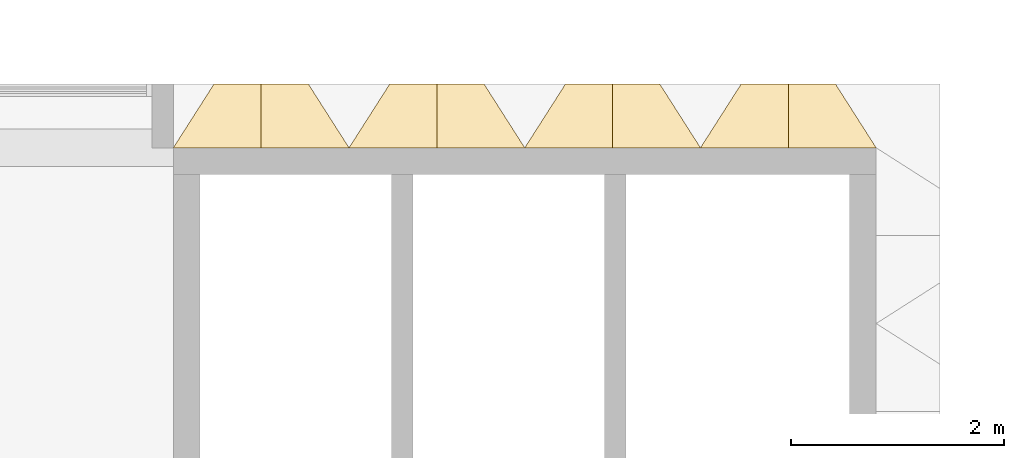
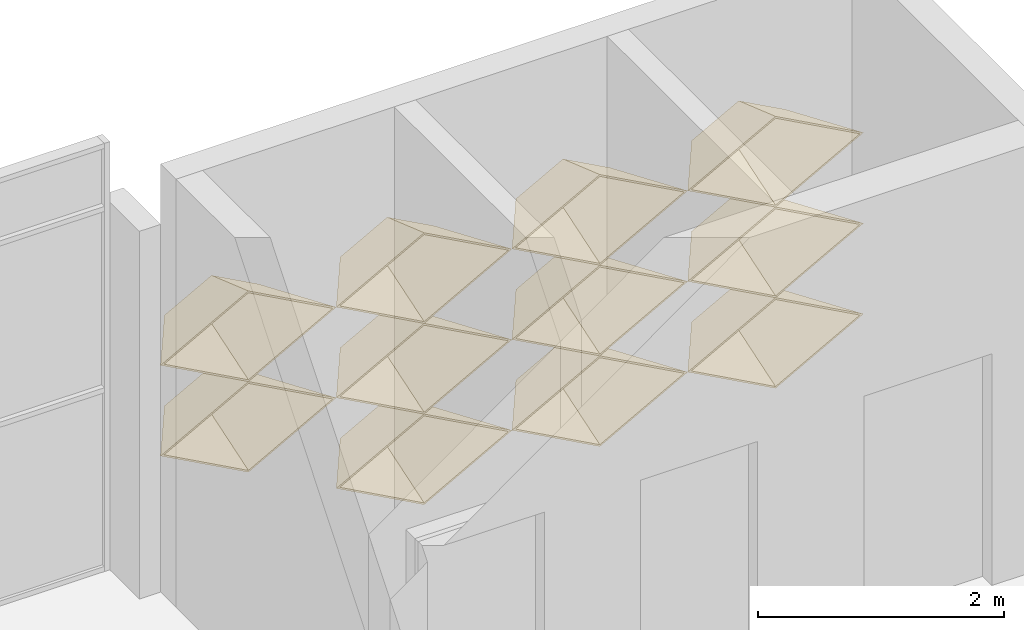
# One storey, part 20 of 21: 11 coverings.
"""IFC4 building model written with IfcOpenShell, lengths in metres."""

from ifc_helpers import new_model, entity, si_unit, direction, frame, origin, place, context, subcontext, project, spatial, material, layer, layer_set, type_object, element, save


model = new_model("IFC4")

# Units and contexts
model_context = context("Model", 3, precision=1e-05, world=origin(), true_north=direction((0.0, 1.0)))
body_context = subcontext(model_context, "Body", "Model", "MODEL_VIEW")
ifc_project = project(units=[si_unit("LENGTHUNIT", "METRE"), si_unit("AREAUNIT", "SQUARE_METRE"), si_unit("VOLUMEUNIT", "CUBIC_METRE"), si_unit("PLANEANGLEUNIT", "RADIAN"), si_unit("MASSUNIT", "GRAM", prefix="KILO")], contexts=[model_context])

# Site, building, storey
site_placement = place(None, origin())
site = spatial("IfcSite", under=ifc_project, at=site_placement, CompositionType="ELEMENT")
building_placement = place(site_placement, origin())
building = spatial("IfcBuilding", under=site, at=building_placement, Name="Lantern Court Research Institute", CompositionType="ELEMENT")
storey_placement = place(building_placement, frame((0.0, 0.0, 41.39990234375)))
storey = spatial("IfcBuildingStorey", under=building, at=storey_placement, Name="L09", CompositionType="ELEMENT", Elevation=41.39990234375)

# Coverings
ifc_material = material(Name="Anodised aluminium", Category="aluminium")
ifc_layer = layer(ifc_material, 0.01611328125)
ifc_layer_set = layer_set([ifc_layer], Name="Anodised aluminium")
covering_type = type_object("IfcCoveringType", Name="Fin cassette 1650 x 900 x 600 aluminium", PredefinedType="CLADDING", material=ifc_layer_set)
covering_1_placement = place(storey_placement, frame((75.074951171875, 23.10009765625, 0.4501953125), z_axis=(0.0, 1.0, 0.0), x_axis=(-1.0, 0.0, 0.0)))
cartesian_point_1 = entity("IfcCartesianPoint", [0.824951171875, 0.0])
cartesian_point_2 = entity("IfcCartesianPoint", [0.79150390625, 0.0])
cartesian_point_3 = entity("IfcCartesianPoint", [0.44189453125, 0.0])
cartesian_point_4 = entity("IfcCartesianPoint", [0.43359375, 0.0])
element("IfcCovering", 1, at=covering_1_placement, inside=storey, type_object=covering_type, Name="Fin cassette V5N-L09 1.46", PredefinedType="CLADDING", context=body_context, shape_type="SweptSolid", body=[
    entity("IfcExtrudedAreaSolidTapered", entity("IfcArbitraryProfileDefWithVoids", "AREA", None, entity("IfcPolyline", [cartesian_point_1, entity("IfcCartesianPoint", [0.0, 0.449951171875]), entity("IfcCartesianPoint", [-0.824951171875, 0.0]), entity("IfcCartesianPoint", [0.0, -0.449951171875]), cartesian_point_1]), [entity("IfcPolyline", [cartesian_point_2, entity("IfcCartesianPoint", [0.0, 0.431884765625]), entity("IfcCartesianPoint", [-0.79150390625, 0.0]), entity("IfcCartesianPoint", [0.0, -0.431884765625]), cartesian_point_2])]), entity("IfcAxis2Placement3D", entity("IfcCartesianPoint", [0.0, 0.0, 0.0])), entity("IfcDirection", [0.0, 0.0, 1.0]), 0.60009765625, entity("IfcArbitraryProfileDefWithVoids", "AREA", None, entity("IfcPolyline", [cartesian_point_3, entity("IfcCartesianPoint", [0.0, 0.240966796875]), entity("IfcCartesianPoint", [-0.44189453125, 0.0]), entity("IfcCartesianPoint", [0.0, -0.240966796875]), cartesian_point_3]), [entity("IfcPolyline", [cartesian_point_4, entity("IfcCartesianPoint", [0.0, 0.236572265625]), entity("IfcCartesianPoint", [-0.43359375, 0.0]), entity("IfcCartesianPoint", [0.0, -0.236572265625]), cartesian_point_4])])),
])
covering_2_placement = place(storey_placement, frame((76.72509765625, 23.10009765625, 0.4501953125), z_axis=(0.0, 1.0, 0.0), x_axis=(-1.0, 0.0, 0.0)))
cartesian_point_5 = entity("IfcCartesianPoint", [0.824951171875, 0.0])
cartesian_point_6 = entity("IfcCartesianPoint", [0.79150390625, 0.0])
cartesian_point_7 = entity("IfcCartesianPoint", [0.44189453125, 0.0])
cartesian_point_8 = entity("IfcCartesianPoint", [0.43359375, 0.0])
element("IfcCovering", 2, at=covering_2_placement, inside=storey, type_object=covering_type, Name="Fin cassette V5N-L09 1.47", PredefinedType="CLADDING", context=body_context, shape_type="SweptSolid", body=[
    entity("IfcExtrudedAreaSolidTapered", entity("IfcArbitraryProfileDefWithVoids", "AREA", None, entity("IfcPolyline", [cartesian_point_5, entity("IfcCartesianPoint", [0.0, 0.449951171875]), entity("IfcCartesianPoint", [-0.824951171875, 0.0]), entity("IfcCartesianPoint", [0.0, -0.449951171875]), cartesian_point_5]), [entity("IfcPolyline", [cartesian_point_6, entity("IfcCartesianPoint", [0.0, 0.431884765625]), entity("IfcCartesianPoint", [-0.79150390625, 0.0]), entity("IfcCartesianPoint", [0.0, -0.431884765625]), cartesian_point_6])]), entity("IfcAxis2Placement3D", entity("IfcCartesianPoint", [0.0, 0.0, 0.0])), entity("IfcDirection", [0.0, 0.0, 1.0]), 0.60009765625, entity("IfcArbitraryProfileDefWithVoids", "AREA", None, entity("IfcPolyline", [cartesian_point_7, entity("IfcCartesianPoint", [0.0, 0.240966796875]), entity("IfcCartesianPoint", [-0.44189453125, 0.0]), entity("IfcCartesianPoint", [0.0, -0.240966796875]), cartesian_point_7]), [entity("IfcPolyline", [cartesian_point_8, entity("IfcCartesianPoint", [0.0, 0.236572265625]), entity("IfcCartesianPoint", [-0.43359375, 0.0]), entity("IfcCartesianPoint", [0.0, -0.236572265625]), cartesian_point_8])])),
])
covering_3_placement = place(storey_placement, frame((78.375, 23.10009765625, 0.4501953125), z_axis=(0.0, 1.0, 0.0), x_axis=(-1.0, 0.0, 0.0)))
cartesian_point_9 = entity("IfcCartesianPoint", [0.824951171875, 0.0])
cartesian_point_10 = entity("IfcCartesianPoint", [0.79150390625, 0.0])
cartesian_point_11 = entity("IfcCartesianPoint", [0.44189453125, 0.0])
cartesian_point_12 = entity("IfcCartesianPoint", [0.43359375, 0.0])
element("IfcCovering", 3, at=covering_3_placement, inside=storey, type_object=covering_type, Name="Fin cassette V5N-L09 1.48", PredefinedType="CLADDING", context=body_context, shape_type="SweptSolid", body=[
    entity("IfcExtrudedAreaSolidTapered", entity("IfcArbitraryProfileDefWithVoids", "AREA", None, entity("IfcPolyline", [cartesian_point_9, entity("IfcCartesianPoint", [0.0, 0.449951171875]), entity("IfcCartesianPoint", [-0.824951171875, 0.0]), entity("IfcCartesianPoint", [0.0, -0.449951171875]), cartesian_point_9]), [entity("IfcPolyline", [cartesian_point_10, entity("IfcCartesianPoint", [0.0, 0.431884765625]), entity("IfcCartesianPoint", [-0.79150390625, 0.0]), entity("IfcCartesianPoint", [0.0, -0.431884765625]), cartesian_point_10])]), entity("IfcAxis2Placement3D", entity("IfcCartesianPoint", [0.0, 0.0, 0.0])), entity("IfcDirection", [0.0, 0.0, 1.0]), 0.60009765625, entity("IfcArbitraryProfileDefWithVoids", "AREA", None, entity("IfcPolyline", [cartesian_point_11, entity("IfcCartesianPoint", [0.0, 0.240966796875]), entity("IfcCartesianPoint", [-0.44189453125, 0.0]), entity("IfcCartesianPoint", [0.0, -0.240966796875]), cartesian_point_11]), [entity("IfcPolyline", [cartesian_point_12, entity("IfcCartesianPoint", [0.0, 0.236572265625]), entity("IfcCartesianPoint", [-0.43359375, 0.0]), entity("IfcCartesianPoint", [0.0, -0.236572265625]), cartesian_point_12])])),
])
covering_4_placement = place(storey_placement, frame((73.425048828125, 23.10009765625, 1.35009765625), z_axis=(0.0, 1.0, 0.0), x_axis=(-1.0, 0.0, 0.0)))
cartesian_point_13 = entity("IfcCartesianPoint", [0.824951171875, 0.0])
cartesian_point_14 = entity("IfcCartesianPoint", [0.79150390625, 0.0])
cartesian_point_15 = entity("IfcCartesianPoint", [0.44189453125, 0.0])
cartesian_point_16 = entity("IfcCartesianPoint", [0.43359375, 0.0])
element("IfcCovering", 4, at=covering_4_placement, inside=storey, type_object=covering_type, Name="Fin cassette V5N-L09 2.45", PredefinedType="CLADDING", context=body_context, shape_type="SweptSolid", body=[
    entity("IfcExtrudedAreaSolidTapered", entity("IfcArbitraryProfileDefWithVoids", "AREA", None, entity("IfcPolyline", [cartesian_point_13, entity("IfcCartesianPoint", [0.0, 0.449951171875]), entity("IfcCartesianPoint", [-0.824951171875, 0.0]), entity("IfcCartesianPoint", [0.0, -0.449951171875]), cartesian_point_13]), [entity("IfcPolyline", [cartesian_point_14, entity("IfcCartesianPoint", [0.0, 0.431884765625]), entity("IfcCartesianPoint", [-0.79150390625, 0.0]), entity("IfcCartesianPoint", [0.0, -0.431884765625]), cartesian_point_14])]), entity("IfcAxis2Placement3D", entity("IfcCartesianPoint", [0.0, 0.0, 0.0])), entity("IfcDirection", [0.0, 0.0, 1.0]), 0.60009765625, entity("IfcArbitraryProfileDefWithVoids", "AREA", None, entity("IfcPolyline", [cartesian_point_15, entity("IfcCartesianPoint", [0.0, 0.240966796875]), entity("IfcCartesianPoint", [-0.44189453125, 0.0]), entity("IfcCartesianPoint", [0.0, -0.240966796875]), cartesian_point_15]), [entity("IfcPolyline", [cartesian_point_16, entity("IfcCartesianPoint", [0.0, 0.236572265625]), entity("IfcCartesianPoint", [-0.43359375, 0.0]), entity("IfcCartesianPoint", [0.0, -0.236572265625]), cartesian_point_16])])),
])
covering_5_placement = place(storey_placement, frame((75.074951171875, 23.10009765625, 1.35009765625), z_axis=(0.0, 1.0, 0.0), x_axis=(-1.0, 0.0, 0.0)))
cartesian_point_17 = entity("IfcCartesianPoint", [0.824951171875, 0.0])
cartesian_point_18 = entity("IfcCartesianPoint", [0.79150390625, 0.0])
cartesian_point_19 = entity("IfcCartesianPoint", [0.44189453125, 0.0])
cartesian_point_20 = entity("IfcCartesianPoint", [0.43359375, 0.0])
element("IfcCovering", 5, at=covering_5_placement, inside=storey, type_object=covering_type, Name="Fin cassette V5N-L09 2.46", PredefinedType="CLADDING", context=body_context, shape_type="SweptSolid", body=[
    entity("IfcExtrudedAreaSolidTapered", entity("IfcArbitraryProfileDefWithVoids", "AREA", None, entity("IfcPolyline", [cartesian_point_17, entity("IfcCartesianPoint", [0.0, 0.449951171875]), entity("IfcCartesianPoint", [-0.824951171875, 0.0]), entity("IfcCartesianPoint", [0.0, -0.449951171875]), cartesian_point_17]), [entity("IfcPolyline", [cartesian_point_18, entity("IfcCartesianPoint", [0.0, 0.431884765625]), entity("IfcCartesianPoint", [-0.79150390625, 0.0]), entity("IfcCartesianPoint", [0.0, -0.431884765625]), cartesian_point_18])]), entity("IfcAxis2Placement3D", entity("IfcCartesianPoint", [0.0, 0.0, 0.0])), entity("IfcDirection", [0.0, 0.0, 1.0]), 0.60009765625, entity("IfcArbitraryProfileDefWithVoids", "AREA", None, entity("IfcPolyline", [cartesian_point_19, entity("IfcCartesianPoint", [0.0, 0.240966796875]), entity("IfcCartesianPoint", [-0.44189453125, 0.0]), entity("IfcCartesianPoint", [0.0, -0.240966796875]), cartesian_point_19]), [entity("IfcPolyline", [cartesian_point_20, entity("IfcCartesianPoint", [0.0, 0.236572265625]), entity("IfcCartesianPoint", [-0.43359375, 0.0]), entity("IfcCartesianPoint", [0.0, -0.236572265625]), cartesian_point_20])])),
])
covering_6_placement = place(storey_placement, frame((76.72509765625, 23.10009765625, 1.35009765625), z_axis=(0.0, 1.0, 0.0), x_axis=(-1.0, 0.0, 0.0)))
cartesian_point_21 = entity("IfcCartesianPoint", [0.824951171875, 0.0])
cartesian_point_22 = entity("IfcCartesianPoint", [0.79150390625, 0.0])
cartesian_point_23 = entity("IfcCartesianPoint", [0.44189453125, 0.0])
cartesian_point_24 = entity("IfcCartesianPoint", [0.43359375, 0.0])
element("IfcCovering", 6, at=covering_6_placement, inside=storey, type_object=covering_type, Name="Fin cassette V5N-L09 2.47", PredefinedType="CLADDING", context=body_context, shape_type="SweptSolid", body=[
    entity("IfcExtrudedAreaSolidTapered", entity("IfcArbitraryProfileDefWithVoids", "AREA", None, entity("IfcPolyline", [cartesian_point_21, entity("IfcCartesianPoint", [0.0, 0.449951171875]), entity("IfcCartesianPoint", [-0.824951171875, 0.0]), entity("IfcCartesianPoint", [0.0, -0.449951171875]), cartesian_point_21]), [entity("IfcPolyline", [cartesian_point_22, entity("IfcCartesianPoint", [0.0, 0.431884765625]), entity("IfcCartesianPoint", [-0.79150390625, 0.0]), entity("IfcCartesianPoint", [0.0, -0.431884765625]), cartesian_point_22])]), entity("IfcAxis2Placement3D", entity("IfcCartesianPoint", [0.0, 0.0, 0.0])), entity("IfcDirection", [0.0, 0.0, 1.0]), 0.60009765625, entity("IfcArbitraryProfileDefWithVoids", "AREA", None, entity("IfcPolyline", [cartesian_point_23, entity("IfcCartesianPoint", [0.0, 0.240966796875]), entity("IfcCartesianPoint", [-0.44189453125, 0.0]), entity("IfcCartesianPoint", [0.0, -0.240966796875]), cartesian_point_23]), [entity("IfcPolyline", [cartesian_point_24, entity("IfcCartesianPoint", [0.0, 0.236572265625]), entity("IfcCartesianPoint", [-0.43359375, 0.0]), entity("IfcCartesianPoint", [0.0, -0.236572265625]), cartesian_point_24])])),
])
covering_7_placement = place(storey_placement, frame((78.375, 23.10009765625, 1.35009765625), z_axis=(0.0, 1.0, 0.0), x_axis=(-1.0, 0.0, 0.0)))
cartesian_point_25 = entity("IfcCartesianPoint", [0.824951171875, 0.0])
cartesian_point_26 = entity("IfcCartesianPoint", [0.79150390625, 0.0])
cartesian_point_27 = entity("IfcCartesianPoint", [0.44189453125, 0.0])
cartesian_point_28 = entity("IfcCartesianPoint", [0.43359375, 0.0])
element("IfcCovering", 7, at=covering_7_placement, inside=storey, type_object=covering_type, Name="Fin cassette V5N-L09 2.48", PredefinedType="CLADDING", context=body_context, shape_type="SweptSolid", body=[
    entity("IfcExtrudedAreaSolidTapered", entity("IfcArbitraryProfileDefWithVoids", "AREA", None, entity("IfcPolyline", [cartesian_point_25, entity("IfcCartesianPoint", [0.0, 0.449951171875]), entity("IfcCartesianPoint", [-0.824951171875, 0.0]), entity("IfcCartesianPoint", [0.0, -0.449951171875]), cartesian_point_25]), [entity("IfcPolyline", [cartesian_point_26, entity("IfcCartesianPoint", [0.0, 0.431884765625]), entity("IfcCartesianPoint", [-0.79150390625, 0.0]), entity("IfcCartesianPoint", [0.0, -0.431884765625]), cartesian_point_26])]), entity("IfcAxis2Placement3D", entity("IfcCartesianPoint", [0.0, 0.0, 0.0])), entity("IfcDirection", [0.0, 0.0, 1.0]), 0.60009765625, entity("IfcArbitraryProfileDefWithVoids", "AREA", None, entity("IfcPolyline", [cartesian_point_27, entity("IfcCartesianPoint", [0.0, 0.240966796875]), entity("IfcCartesianPoint", [-0.44189453125, 0.0]), entity("IfcCartesianPoint", [0.0, -0.240966796875]), cartesian_point_27]), [entity("IfcPolyline", [cartesian_point_28, entity("IfcCartesianPoint", [0.0, 0.236572265625]), entity("IfcCartesianPoint", [-0.43359375, 0.0]), entity("IfcCartesianPoint", [0.0, -0.236572265625]), cartesian_point_28])])),
])
covering_8_placement = place(storey_placement, frame((73.425048828125, 23.10009765625, 2.25), z_axis=(0.0, 1.0, 0.0), x_axis=(-1.0, 0.0, 0.0)))
cartesian_point_29 = entity("IfcCartesianPoint", [0.824951171875, 0.0])
cartesian_point_30 = entity("IfcCartesianPoint", [0.79150390625, 0.0])
cartesian_point_31 = entity("IfcCartesianPoint", [0.44189453125, 0.0])
cartesian_point_32 = entity("IfcCartesianPoint", [0.43359375, 0.0])
element("IfcCovering", 8, at=covering_8_placement, inside=storey, type_object=covering_type, Name="Fin cassette V5N-L09 3.45", PredefinedType="CLADDING", context=body_context, shape_type="SweptSolid", body=[
    entity("IfcExtrudedAreaSolidTapered", entity("IfcArbitraryProfileDefWithVoids", "AREA", None, entity("IfcPolyline", [cartesian_point_29, entity("IfcCartesianPoint", [0.0, 0.449951171875]), entity("IfcCartesianPoint", [-0.824951171875, 0.0]), entity("IfcCartesianPoint", [0.0, -0.449951171875]), cartesian_point_29]), [entity("IfcPolyline", [cartesian_point_30, entity("IfcCartesianPoint", [0.0, 0.431884765625]), entity("IfcCartesianPoint", [-0.79150390625, 0.0]), entity("IfcCartesianPoint", [0.0, -0.431884765625]), cartesian_point_30])]), entity("IfcAxis2Placement3D", entity("IfcCartesianPoint", [0.0, 0.0, 0.0])), entity("IfcDirection", [0.0, 0.0, 1.0]), 0.60009765625, entity("IfcArbitraryProfileDefWithVoids", "AREA", None, entity("IfcPolyline", [cartesian_point_31, entity("IfcCartesianPoint", [0.0, 0.240966796875]), entity("IfcCartesianPoint", [-0.44189453125, 0.0]), entity("IfcCartesianPoint", [0.0, -0.240966796875]), cartesian_point_31]), [entity("IfcPolyline", [cartesian_point_32, entity("IfcCartesianPoint", [0.0, 0.236572265625]), entity("IfcCartesianPoint", [-0.43359375, 0.0]), entity("IfcCartesianPoint", [0.0, -0.236572265625]), cartesian_point_32])])),
])
covering_9_placement = place(storey_placement, frame((75.074951171875, 23.10009765625, 2.25), z_axis=(0.0, 1.0, 0.0), x_axis=(-1.0, 0.0, 0.0)))
cartesian_point_33 = entity("IfcCartesianPoint", [0.824951171875, 0.0])
cartesian_point_34 = entity("IfcCartesianPoint", [0.79150390625, 0.0])
cartesian_point_35 = entity("IfcCartesianPoint", [0.44189453125, 0.0])
cartesian_point_36 = entity("IfcCartesianPoint", [0.43359375, 0.0])
element("IfcCovering", 9, at=covering_9_placement, inside=storey, type_object=covering_type, Name="Fin cassette V5N-L09 3.46", PredefinedType="CLADDING", context=body_context, shape_type="SweptSolid", body=[
    entity("IfcExtrudedAreaSolidTapered", entity("IfcArbitraryProfileDefWithVoids", "AREA", None, entity("IfcPolyline", [cartesian_point_33, entity("IfcCartesianPoint", [0.0, 0.449951171875]), entity("IfcCartesianPoint", [-0.824951171875, 0.0]), entity("IfcCartesianPoint", [0.0, -0.449951171875]), cartesian_point_33]), [entity("IfcPolyline", [cartesian_point_34, entity("IfcCartesianPoint", [0.0, 0.431884765625]), entity("IfcCartesianPoint", [-0.79150390625, 0.0]), entity("IfcCartesianPoint", [0.0, -0.431884765625]), cartesian_point_34])]), entity("IfcAxis2Placement3D", entity("IfcCartesianPoint", [0.0, 0.0, 0.0])), entity("IfcDirection", [0.0, 0.0, 1.0]), 0.60009765625, entity("IfcArbitraryProfileDefWithVoids", "AREA", None, entity("IfcPolyline", [cartesian_point_35, entity("IfcCartesianPoint", [0.0, 0.240966796875]), entity("IfcCartesianPoint", [-0.44189453125, 0.0]), entity("IfcCartesianPoint", [0.0, -0.240966796875]), cartesian_point_35]), [entity("IfcPolyline", [cartesian_point_36, entity("IfcCartesianPoint", [0.0, 0.236572265625]), entity("IfcCartesianPoint", [-0.43359375, 0.0]), entity("IfcCartesianPoint", [0.0, -0.236572265625]), cartesian_point_36])])),
])
covering_10_placement = place(storey_placement, frame((76.72509765625, 23.10009765625, 2.25), z_axis=(0.0, 1.0, 0.0), x_axis=(-1.0, 0.0, 0.0)))
cartesian_point_37 = entity("IfcCartesianPoint", [0.824951171875, 0.0])
cartesian_point_38 = entity("IfcCartesianPoint", [0.79150390625, 0.0])
cartesian_point_39 = entity("IfcCartesianPoint", [0.44189453125, 0.0])
cartesian_point_40 = entity("IfcCartesianPoint", [0.43359375, 0.0])
element("IfcCovering", 10, at=covering_10_placement, inside=storey, type_object=covering_type, Name="Fin cassette V5N-L09 3.47", PredefinedType="CLADDING", context=body_context, shape_type="SweptSolid", body=[
    entity("IfcExtrudedAreaSolidTapered", entity("IfcArbitraryProfileDefWithVoids", "AREA", None, entity("IfcPolyline", [cartesian_point_37, entity("IfcCartesianPoint", [0.0, 0.449951171875]), entity("IfcCartesianPoint", [-0.824951171875, 0.0]), entity("IfcCartesianPoint", [0.0, -0.449951171875]), cartesian_point_37]), [entity("IfcPolyline", [cartesian_point_38, entity("IfcCartesianPoint", [0.0, 0.431884765625]), entity("IfcCartesianPoint", [-0.79150390625, 0.0]), entity("IfcCartesianPoint", [0.0, -0.431884765625]), cartesian_point_38])]), entity("IfcAxis2Placement3D", entity("IfcCartesianPoint", [0.0, 0.0, 0.0])), entity("IfcDirection", [0.0, 0.0, 1.0]), 0.60009765625, entity("IfcArbitraryProfileDefWithVoids", "AREA", None, entity("IfcPolyline", [cartesian_point_39, entity("IfcCartesianPoint", [0.0, 0.240966796875]), entity("IfcCartesianPoint", [-0.44189453125, 0.0]), entity("IfcCartesianPoint", [0.0, -0.240966796875]), cartesian_point_39]), [entity("IfcPolyline", [cartesian_point_40, entity("IfcCartesianPoint", [0.0, 0.236572265625]), entity("IfcCartesianPoint", [-0.43359375, 0.0]), entity("IfcCartesianPoint", [0.0, -0.236572265625]), cartesian_point_40])])),
])
covering_11_placement = place(storey_placement, frame((78.375, 23.10009765625, 2.25), z_axis=(0.0, 1.0, 0.0), x_axis=(-1.0, 0.0, 0.0)))
cartesian_point_41 = entity("IfcCartesianPoint", [0.824951171875, 0.0])
cartesian_point_42 = entity("IfcCartesianPoint", [0.79150390625, 0.0])
cartesian_point_43 = entity("IfcCartesianPoint", [0.44189453125, 0.0])
cartesian_point_44 = entity("IfcCartesianPoint", [0.43359375, 0.0])
element("IfcCovering", 11, at=covering_11_placement, inside=storey, type_object=covering_type, Name="Fin cassette V5N-L09 3.48", PredefinedType="CLADDING", context=body_context, shape_type="SweptSolid", body=[
    entity("IfcExtrudedAreaSolidTapered", entity("IfcArbitraryProfileDefWithVoids", "AREA", None, entity("IfcPolyline", [cartesian_point_41, entity("IfcCartesianPoint", [0.0, 0.449951171875]), entity("IfcCartesianPoint", [-0.824951171875, 0.0]), entity("IfcCartesianPoint", [0.0, -0.449951171875]), cartesian_point_41]), [entity("IfcPolyline", [cartesian_point_42, entity("IfcCartesianPoint", [0.0, 0.431884765625]), entity("IfcCartesianPoint", [-0.79150390625, 0.0]), entity("IfcCartesianPoint", [0.0, -0.431884765625]), cartesian_point_42])]), entity("IfcAxis2Placement3D", entity("IfcCartesianPoint", [0.0, 0.0, 0.0])), entity("IfcDirection", [0.0, 0.0, 1.0]), 0.60009765625, entity("IfcArbitraryProfileDefWithVoids", "AREA", None, entity("IfcPolyline", [cartesian_point_43, entity("IfcCartesianPoint", [0.0, 0.240966796875]), entity("IfcCartesianPoint", [-0.44189453125, 0.0]), entity("IfcCartesianPoint", [0.0, -0.240966796875]), cartesian_point_43]), [entity("IfcPolyline", [cartesian_point_44, entity("IfcCartesianPoint", [0.0, 0.236572265625]), entity("IfcCartesianPoint", [-0.43359375, 0.0]), entity("IfcCartesianPoint", [0.0, -0.236572265625]), cartesian_point_44])])),
])

save(model, "model.ifc")
